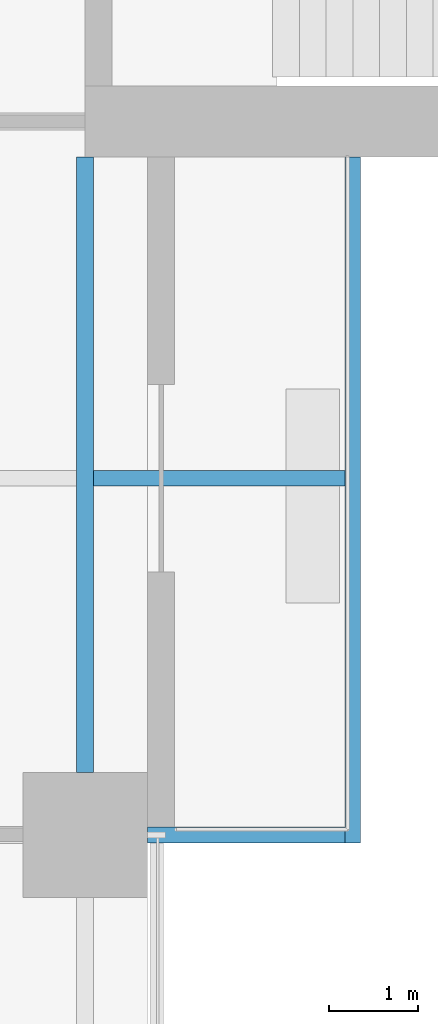
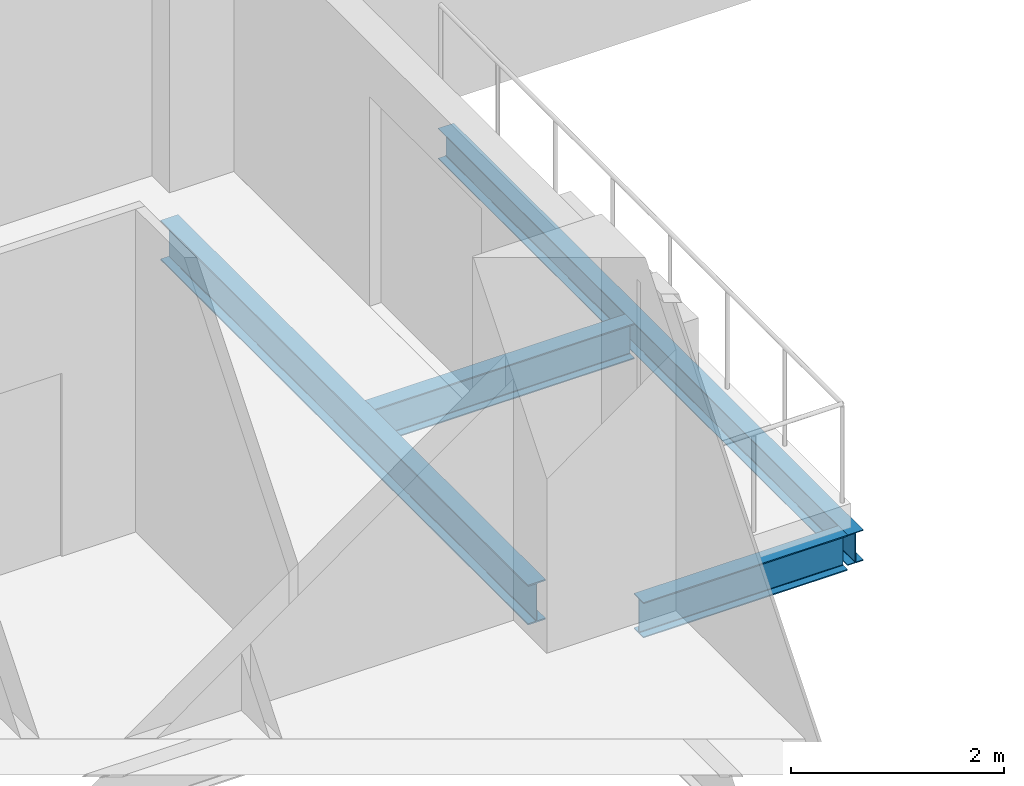
# One storey, part 5 of 29: 4 beams.
"""IFC4 building model written with IfcOpenShell, lengths in metres."""

from ifc_helpers import new_model, si_unit, direction, frame, origin, origin_2d, place, context, subcontext, project, spatial, i_section, extrude, material, material_profile, profile_set, type_object, element, save


model = new_model("IFC4")

# Units and contexts
model_context = context("Model", 3, precision=1e-05, world=origin(), true_north=direction((0.0, 1.0)))
body_context = subcontext(model_context, "Body", "Model", "MODEL_VIEW")
ifc_project = project(units=[si_unit("LENGTHUNIT", "METRE"), si_unit("AREAUNIT", "SQUARE_METRE"), si_unit("VOLUMEUNIT", "CUBIC_METRE"), si_unit("PLANEANGLEUNIT", "RADIAN"), si_unit("MASSUNIT", "GRAM", prefix="KILO")], contexts=[model_context])

# Site, building, storey
site_placement = place(None, origin())
site = spatial("IfcSite", under=ifc_project, at=site_placement, CompositionType="ELEMENT")
building_placement = place(site_placement, origin())
building = spatial("IfcBuilding", under=site, at=building_placement, Name="Crosswind Convention Tower", CompositionType="ELEMENT")
storey_placement = place(building_placement, frame((0.0, 0.0, 60.89990234375)))
storey = spatial("IfcBuildingStorey", under=building, at=storey_placement, Name="L09", CompositionType="ELEMENT", Elevation=60.89990234375)

# Beams
ifc_material = material(Name="Steel S355", Category="steel")
ifc_material_profile_1 = material_profile(ifc_material, i_section(OverallWidth=0.177734375, OverallDepth=0.406494140625, WebThickness=0.0078125, FlangeThickness=0.0126953125, FilletRadius=0.01025390625, at=origin_2d()), Name="UB 406x178x60")
ifc_profile_set_1 = profile_set([ifc_material_profile_1], Name="Steel S355")
beam_type_1 = type_object("IfcBeamType", Name="Balcony cantilever UB 406x178x60", PredefinedType="BEAM", material=ifc_profile_set_1)
beam_1_placement = place(storey_placement, frame((137.09521484375, 84.0, -0.483154296875), z_axis=(1.0, 0.0, 0.0), x_axis=(0.0, 1.0, 0.0)))
element("IfcBeam", 1, at=beam_1_placement, inside=storey, type_object=beam_type_1, Name="B35 L09 balcony cantilever SE 10", PredefinedType="BEAM", context=body_context, shape_type="SweptSolid", body=[
    extrude(i_section(OverallWidth=0.177734375, OverallDepth=0.406494140625, WebThickness=0.0078125, FlangeThickness=0.0126953125, FilletRadius=0.01025390625, at=origin_2d()), origin(), (0.0, 0.0, 1.0), 2.8193359375),
])
beam_2_placement = place(storey_placement, frame((137.699951171875, 80.0, -0.483154296875), z_axis=(1.0, 0.0, 0.0), x_axis=(0.0, 1.0, 0.0)))
element("IfcBeam", 2, at=beam_2_placement, inside=storey, type_object=beam_type_1, Name="B35 L09 balcony cantilever SE 11", PredefinedType="BEAM", context=body_context, shape_type="SweptSolid", body=[
    extrude(i_section(OverallWidth=0.177734375, OverallDepth=0.406494140625, WebThickness=0.0078125, FlangeThickness=0.0126953125, FilletRadius=0.01025390625, at=origin_2d()), origin(), (0.0, 0.0, 1.0), 2.214599609375),
])
ifc_material_profile_2 = material_profile(ifc_material, i_section(OverallWidth=0.1708984375, OverallDepth=0.35205078125, WebThickness=0.0068359375, FlangeThickness=0.009765625, FilletRadius=0.01025390625, at=origin_2d()), Name="UB 356x171x45")
ifc_profile_set_2 = profile_set([ifc_material_profile_2], Name="Steel S355")
beam_type_2 = type_object("IfcBeamType", Name="Balcony edge beam UB 356x171x45", PredefinedType="BEAM", material=ifc_profile_set_2)
beam_3_placement = place(storey_placement, frame((140.0, 87.60009765625, -0.455810546875), z_axis=(0.0, -1.0, 0.0), x_axis=(1.0, 0.0, 0.0)))
element("IfcBeam", 3, at=beam_3_placement, inside=storey, type_object=beam_type_2, Name="B37 L09 balcony edge beam SE 12", PredefinedType="BEAM", context=body_context, shape_type="SweptSolid", body=[
    extrude(i_section(OverallWidth=0.1708984375, OverallDepth=0.35205078125, WebThickness=0.0068359375, FlangeThickness=0.009765625, FilletRadius=0.01025390625, at=origin_2d()), origin(), (0.0, 0.0, 1.0), 7.68896484375),
])
ifc_material_profile_3 = material_profile(ifc_material, i_section(OverallWidth=0.1904296875, OverallDepth=0.457275390625, WebThickness=0.009033203125, FlangeThickness=0.014404296875, FilletRadius=0.01025390625, at=origin_2d()), Name="UB 457x191x75")
ifc_profile_set_3 = profile_set([ifc_material_profile_3], Name="Steel S355")
beam_type_3 = type_object("IfcBeamType", Name="Edge beam UB 457x191x75", PredefinedType="SPANDREL", material=ifc_profile_set_3)
beam_4_placement = place(storey_placement, frame((137.0, 80.699951171875, -0.508544921875), z_axis=(0.0, 1.0, 0.0), x_axis=(-1.0, 0.0, 0.0)))
element("IfcBeam", 4, at=beam_4_placement, inside=storey, type_object=beam_type_3, Name="B17 L09 edge beam 20", PredefinedType="SPANDREL", context=body_context, shape_type="SweptSolid", body=[
    extrude(i_section(OverallWidth=0.1904296875, OverallDepth=0.457275390625, WebThickness=0.009033203125, FlangeThickness=0.014404296875, FilletRadius=0.01025390625, at=origin_2d()), origin(), (0.0, 0.0, 1.0), 6.900146484375),
])

save(model, "model.ifc")
